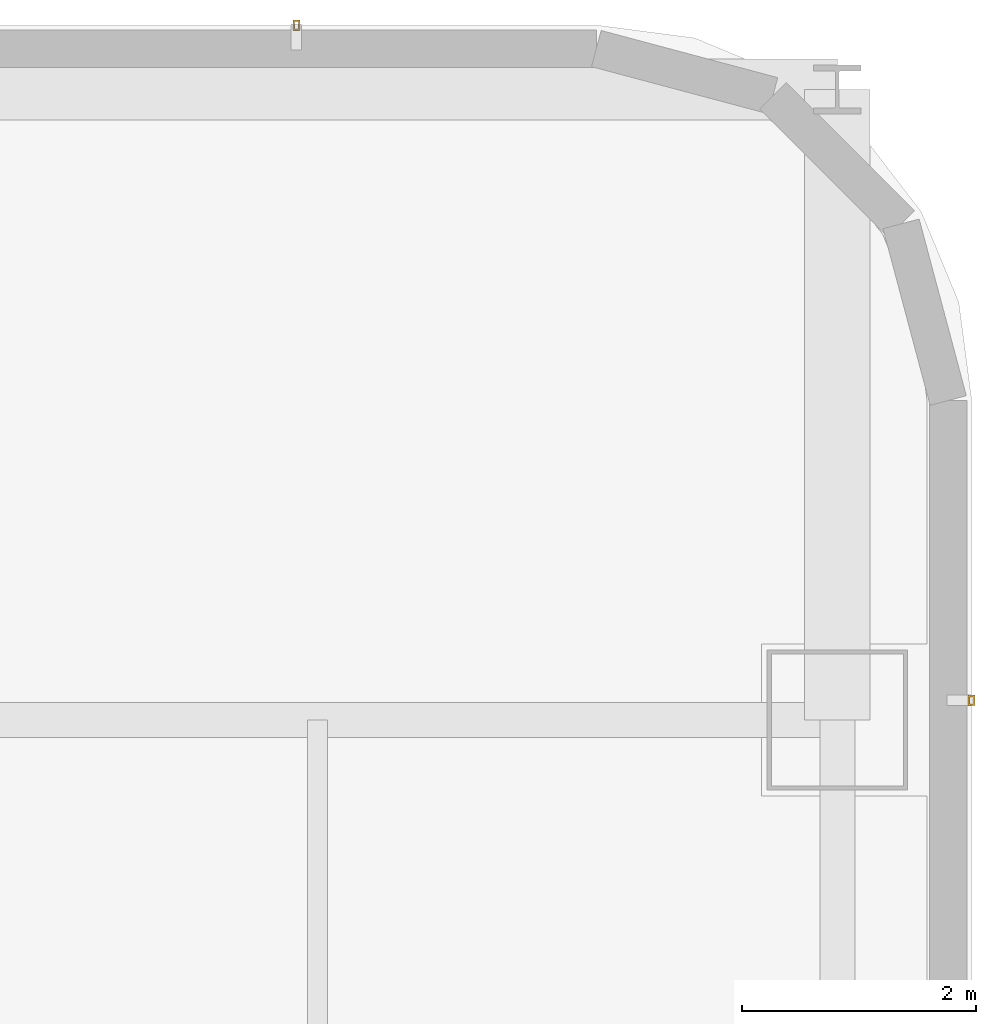
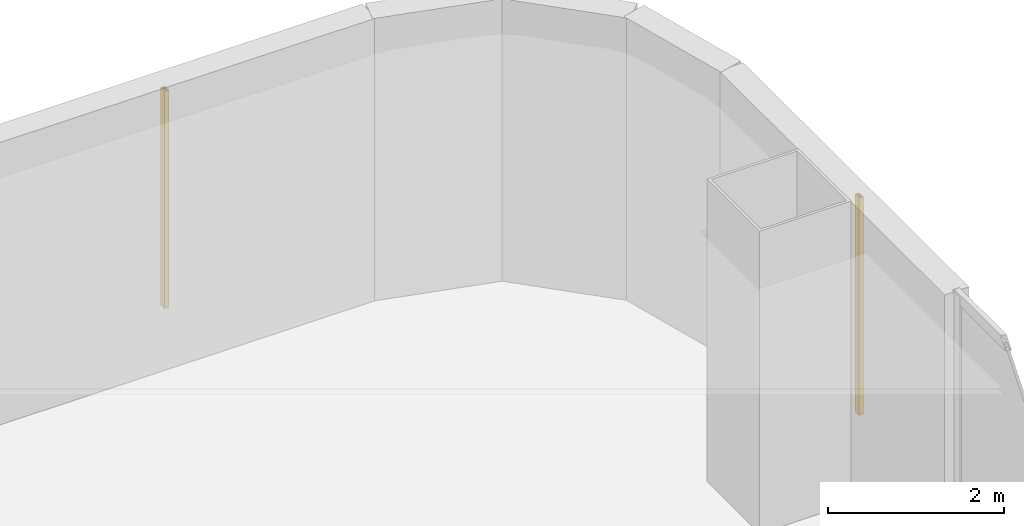
# One storey, part 51 of 51: 2 shading devices.
"""IFC4 building model written with IfcOpenShell, lengths in metres."""

from ifc_helpers import new_model, si_unit, direction, frame, origin, origin_2d, place, context, subcontext, project, spatial, hollow_rectangle, extrude, material, material_profile, profile_set, type_object, element, save


model = new_model("IFC4")

# Units and contexts
model_context = context("Model", 3, precision=1e-05, world=origin(), true_north=direction((0.0, 1.0)))
body_context = subcontext(model_context, "Body", "Model", "MODEL_VIEW")
ifc_project = project(units=[si_unit("LENGTHUNIT", "METRE"), si_unit("AREAUNIT", "SQUARE_METRE"), si_unit("VOLUMEUNIT", "CUBIC_METRE"), si_unit("PLANEANGLEUNIT", "RADIAN"), si_unit("MASSUNIT", "GRAM", prefix="KILO")], contexts=[model_context])

# Site, building, storey
site_placement = place(None, origin())
site = spatial("IfcSite", under=ifc_project, at=site_placement, CompositionType="ELEMENT")
building_placement = place(site_placement, origin())
building = spatial("IfcBuilding", under=site, at=building_placement, Name="Punatoya Terracotta Tower", CompositionType="ELEMENT")
storey_placement = place(building_placement, frame((0.0, 0.0, 313.199951171875)))
storey = spatial("IfcBuildingStorey", under=building, at=storey_placement, Name="L74", CompositionType="ELEMENT", Elevation=313.199951171875)

# Shading devices
ifc_material = material(Name="Architectural Fired Terracotta", Category="masonry")
ifc_material_profile = material_profile(ifc_material, hollow_rectangle(XDim=0.06005859375, YDim=0.090087890625, WallThickness=0.013916015625, at=origin_2d()))
ifc_profile_set = profile_set([ifc_material_profile], Name="Architectural Fired Terracotta")
shading_device_type = type_object("IfcShadingDeviceType", Name="SHD-JALI-90", PredefinedType="JALOUSIE", material=ifc_profile_set)
for number, where, z_axis, x_axis, name in (
    (1, (20.25, 17.66845703125, 0.60009765625), (0.0, 0.0, 1.0), (1.0, 0.0, 0.0), "L74 Braced Bay Terracotta Jali Fin E2"),
    (2, (14.468505859375, 23.449951171875, 0.60009765625), (0.0, 0.0, 1.0), (1.0, 0.0, 0.0), "L74 Braced Bay Terracotta Jali Fin N1"),
):
    element("IfcShadingDevice", number, at=place(storey_placement, frame(where, z_axis=z_axis, x_axis=x_axis)), inside=storey, type_object=shading_device_type, Name=name, PredefinedType="JALOUSIE", context=body_context, shape_type="SweptSolid", body=[
        extrude(hollow_rectangle(XDim=0.06005859375, YDim=0.090087890625, WallThickness=0.013916015625, at=origin_2d()), origin(), (0.0, 0.0, 1.0), 3.02001953125),
    ])

save(model, "model.ifc")
